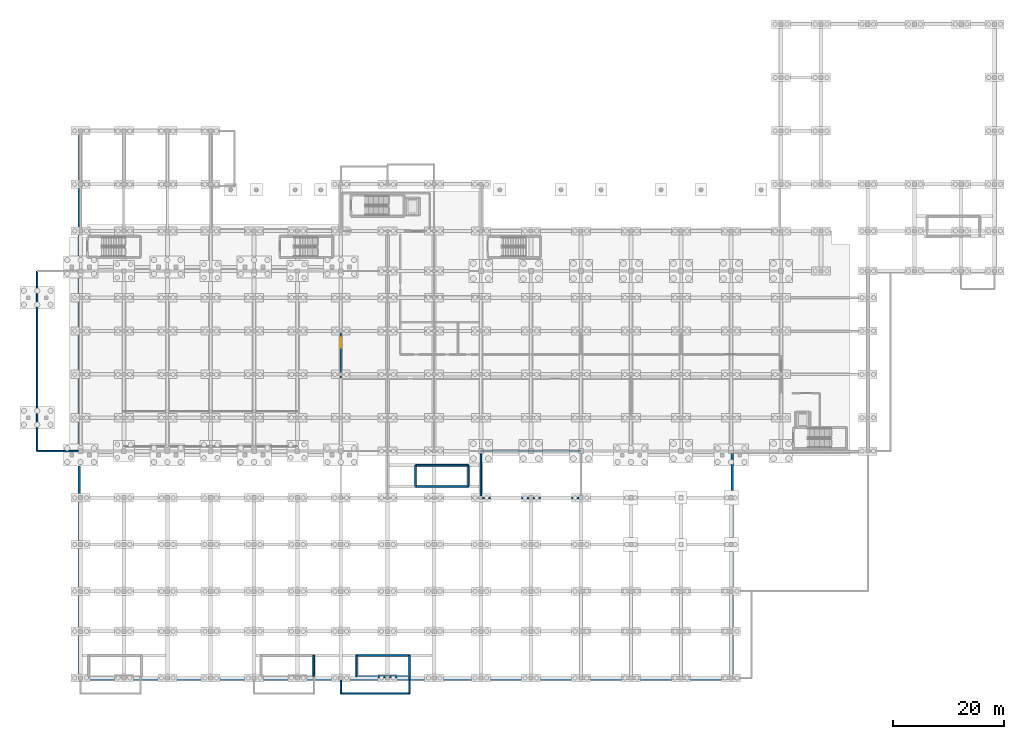
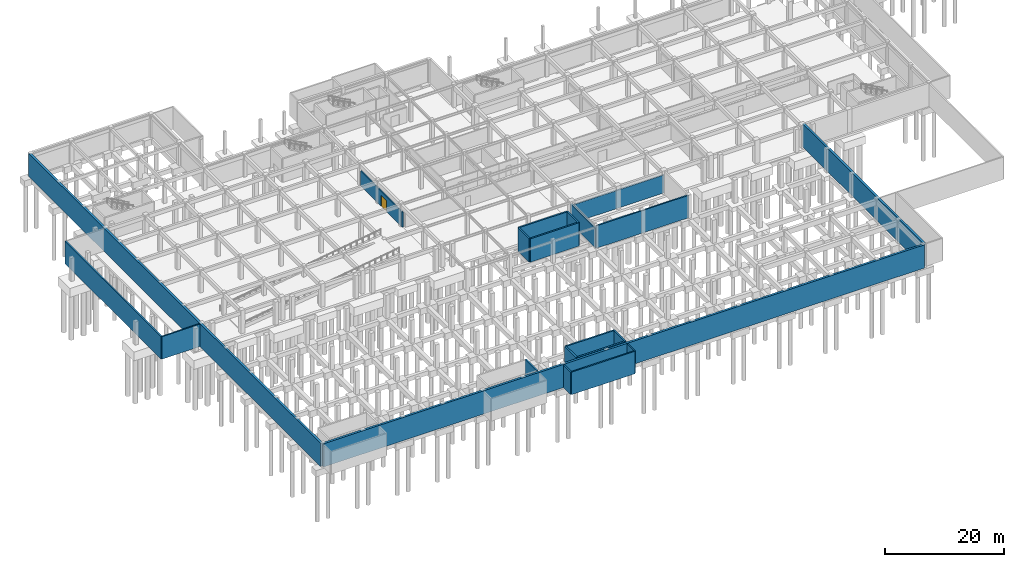
# One storey, part 15 of 26: 21 walls, 1 door, 1 opening.
"""IFC4 building model written with IfcOpenShell, lengths in metres."""

from ifc_helpers import new_model, si_unit, direction, frame, frame_2d, origin, place, context, subcontext, project, spatial, rectangle, extrude, material, layer, layer_set, type_object, element, fill, save


model = new_model("IFC4")

# Units and contexts
model_context = context("Model", 3, precision=1e-05, world=origin(), true_north=direction((0.0, 1.0)))
body_context = subcontext(model_context, "Body", "Model", "MODEL_VIEW")
ifc_project = project(units=[si_unit("LENGTHUNIT", "METRE"), si_unit("AREAUNIT", "SQUARE_METRE"), si_unit("VOLUMEUNIT", "CUBIC_METRE"), si_unit("PLANEANGLEUNIT", "RADIAN"), si_unit("MASSUNIT", "GRAM", prefix="KILO")], contexts=[model_context])

# Site, building, storey
site_placement = place(None, origin())
site = spatial("IfcSite", under=ifc_project, at=site_placement, CompositionType="ELEMENT")
building_placement = place(site_placement, origin())
building = spatial("IfcBuilding", under=site, at=building_placement, Name="Tizgana Railside Sports Hall", CompositionType="ELEMENT")
storey_placement = place(building_placement, frame((0.0, 0.0, -4.800048828125)))
storey = spatial("IfcBuildingStorey", under=building, at=storey_placement, Name="B1", CompositionType="ELEMENT", Elevation=-4.800048828125)

# Walls
ifc_material_1 = material(Name="Concrete C35/45", Category="concrete")
ifc_layer_1 = layer(ifc_material_1, 0.419921875, Name="Concrete C35/45")
ifc_layer_set_1 = layer_set([ifc_layer_1], Name="Concrete C35/45")
wall_type_1 = type_object("IfcWallType", Name="Basement Retaining Wall 420", PredefinedType="USERDEFINED", material=ifc_layer_set_1)
wall_1_placement = place(storey_placement, frame((7.800048828125, -0.219970703125, 0.0), z_axis=(0.0, 0.0, 1.0), x_axis=(1.0, 0.0, 0.0)))
element("IfcWall", 1, at=wall_1_placement, inside=storey, type_object=wall_type_1, Name="B1 Retaining Wall WAL-0001", ObjectType="RETAINING", PredefinedType="USERDEFINED", context=body_context, shape_type="SweptSolid", body=[
    extrude(rectangle(XDim=117.0, YDim=0.419921875, at=frame_2d((58.5, 0.0))), origin(), (0.0, 0.0, 1.0), 4.780029296875),
])
wall_2_placement = place(storey_placement, frame((125.02001953125, 0.0, 0.0), z_axis=(0.0, 0.0, 1.0), x_axis=(0.0, 1.0, 0.0)))
element("IfcWall", 2, at=wall_2_placement, inside=storey, type_object=wall_type_1, Name="B1 Retaining Wall WAL-0002", ObjectType="RETAINING", PredefinedType="USERDEFINED", context=body_context, shape_type="SweptSolid", body=[
    extrude(rectangle(XDim=40.800048828125, YDim=0.419921875, at=frame_2d((20.39990234375, 0.0))), origin(), (0.0, 0.0, 1.0), 4.780029296875),
])
wall_3_placement = place(storey_placement, frame((7.580078125, 98.39990234375, 0.0), z_axis=(0.0, 0.0, 1.0), x_axis=(0.0, -1.0, 0.0)))
element("IfcWall", 3, at=wall_3_placement, inside=storey, type_object=wall_type_1, Name="B1 Retaining Wall WAL-0016", ObjectType="RETAINING", PredefinedType="USERDEFINED", context=body_context, shape_type="SweptSolid", body=[
    extrude(rectangle(XDim=98.39990234375, YDim=0.419921875, at=frame_2d((49.199951171875, 0.0))), origin(), (0.0, 0.0, 1.0), 4.780029296875),
])
ifc_material_2 = material(Name="Concrete C40/50", Category="concrete")
ifc_layer_2 = layer(ifc_material_2, 0.300048828125, Name="Concrete C40/50")
ifc_layer_set_2 = layer_set([ifc_layer_2], Name="Concrete C40/50")
wall_type_2 = type_object("IfcWallType", Name="Core Shear Wall 300", PredefinedType="SHEAR", material=ifc_layer_set_2)
wall_4_placement = place(storey_placement, frame((49.75, 0.25, 0.0), z_axis=(0.0, 0.0, 1.0), x_axis=(0.0, 1.0, 0.0)))
element("IfcWall", 4, at=wall_4_placement, inside=storey, type_object=wall_type_2, Name="B1 C2 Shaft Wall E", PredefinedType="SHEAR", context=body_context, shape_type="SweptSolid", body=[
    extrude(rectangle(XDim=3.800048828125, YDim=0.300048828125, at=frame_2d((1.89990234375, 0.0))), origin(), (0.0, 0.0, 1.0), 4.800048828125),
])
wall_5_placement = place(storey_placement, frame((57.449951171875, 4.050048828125, 0.0), z_axis=(0.0, 0.0, 1.0), x_axis=(1.0, 0.0, 0.0)))
element("IfcWall", 5, at=wall_5_placement, inside=storey, type_object=wall_type_2, Name="B1 C3 Shaft Wall N", PredefinedType="SHEAR", context=body_context, shape_type="SweptSolid", body=[
    extrude(rectangle(XDim=9.5, YDim=0.300048828125, at=frame_2d((4.75, 0.0))), origin(), (0.0, 0.0, 1.0), 4.800048828125),
])
for number, where, z_axis, x_axis, name in (
    (6, (57.449951171875, 0.25, 0.0), (0.0, 0.0, 1.0), (0.0, 1.0, 0.0), "B1 C3 Shaft Wall W"),
    (7, (66.949951171875, 0.25, 0.0), (0.0, 0.0, 1.0), (0.0, 1.0, 0.0), "B1 C3 Shaft Wall E"),
):
    element("IfcWall", number, at=place(storey_placement, frame(where, z_axis=z_axis, x_axis=x_axis)), inside=storey, type_object=wall_type_2, Name=name, PredefinedType="SHEAR", context=body_context, shape_type="SweptSolid", body=[
        extrude(rectangle(XDim=3.800048828125, YDim=0.300048828125, at=frame_2d((1.89990234375, 0.0))), origin(), (0.0, 0.0, 1.0), 4.800048828125),
    ])
for number, where, z_axis, x_axis, name in (
    (8, (77.550048828125, 34.449951171875, 0.0), (0.0, 0.0, 1.0), (-1.0, 0.0, 0.0), "B1 C10 Shaft Wall S"),
    (9, (68.050048828125, 38.25, 0.0), (0.0, 0.0, 1.0), (1.0, 0.0, 0.0), "B1 C10 Shaft Wall N"),
):
    element("IfcWall", number, at=place(storey_placement, frame(where, z_axis=z_axis, x_axis=x_axis)), inside=storey, type_object=wall_type_2, Name=name, PredefinedType="SHEAR", context=body_context, shape_type="SweptSolid", body=[
        extrude(rectangle(XDim=9.5, YDim=0.300048828125, at=frame_2d((4.75, 0.0))), origin(), (0.0, 0.0, 1.0), 4.800048828125),
    ])
for number, where, z_axis, x_axis, name in (
    (10, (68.050048828125, 34.449951171875, 0.0), (0.0, 0.0, 1.0), (0.0, 1.0, 0.0), "B1 C10 Shaft Wall W"),
    (11, (77.550048828125, 34.449951171875, 0.0), (0.0, 0.0, 1.0), (0.0, 1.0, 0.0), "B1 C10 Shaft Wall E"),
):
    element("IfcWall", number, at=place(storey_placement, frame(where, z_axis=z_axis, x_axis=x_axis)), inside=storey, type_object=wall_type_2, Name=name, PredefinedType="SHEAR", context=body_context, shape_type="SweptSolid", body=[
        extrude(rectangle(XDim=3.800048828125, YDim=0.300048828125, at=frame_2d((1.89990234375, 0.0))), origin(), (0.0, 0.0, 1.0), 4.800048828125),
    ])

# Wall, opening, door
ifc_material_3 = material(Name="Masonry blockwork", Category="masonry")
ifc_layer_3 = layer(ifc_material_3, 0.219970703125, Name="Masonry blockwork")
ifc_layer_set_3 = layer_set([ifc_layer_3], Name="Masonry blockwork")
wall_type_3 = type_object("IfcWallType", Name="Equipment Store Fire Wall 220", PredefinedType="STANDARD", material=ifc_layer_set_3)
wall_6_placement = place(storey_placement, frame((54.60009765625, 54.0, 0.0), z_axis=(0.0, 0.0, 1.0), x_axis=(0.0, 1.0, 0.0)))
wall_6 = element("IfcWall", 12, at=wall_6_placement, inside=storey, type_object=wall_type_3, Name="B1 Partition PWAL-0245", PredefinedType="STANDARD", context=body_context, shape_type="SweptSolid", body=[
    extrude(rectangle(XDim=14.06494140625, YDim=0.219970703125, at=frame_2d((7.032470703125, 0.0))), origin(), (0.0, 0.0, 1.0), 3.10009765625),
])
opening_placement = place(wall_6_placement, frame((5.375, 0.0, 0.0)))
opening = element("IfcOpeningElement", 13, at=opening_placement, cuts=wall_6, Name="Opening D-0238", PredefinedType="OPENING", context=body_context, shape_type="SweptSolid", body=[
    extrude(rectangle(XDim=1.85009765625, YDim=2.25, at=frame_2d((0.925048828125, 1.125))), frame((0.0, 0.119873046875, 0.0), z_axis=(0.0, -1.0, 0.0), x_axis=(1.0, 0.0, 0.0)), (0.0, 0.0, 1.0), 0.239990234375),
])
ifc_material_4 = material(Name="Timber fire leaf", Category="wood")
door_type = type_object("IfcDoorType", Name="Corridor Cross-Fire Double Door 1850x2250", OperationType="NOTDEFINED", PredefinedType="DOOR", material=ifc_material_4)
door_placement = place(opening_placement, origin())
door = element("IfcDoor", 14, at=door_placement, inside=storey, type_object=door_type, Name="B1 Door D-0238", OperationType="DOUBLE_DOOR_SINGLE_SWING", OverallHeight=2.25, OverallWidth=1.85009765625, PredefinedType="DOOR", context=body_context, shape_type="SweptSolid", body=[
    extrude(rectangle(XDim=1.85009765625, YDim=2.25, at=frame_2d((0.925048828125, 1.125))), frame((0.0, 0.02490234375, 0.0), z_axis=(0.0, -1.0, 0.0), x_axis=(1.0, 0.0, 0.0)), (0.0, 0.0, 1.0), 0.050048828125),
])
fill(opening, door)

# Walls
ifc_layer_4 = layer(ifc_material_1, 0.340087890625, Name="Concrete C35/45")
ifc_layer_set_4 = layer_set([ifc_layer_4], Name="Concrete C35/45")
wall_type_4 = type_object("IfcWallType", Name="Exterior Insulated Concrete Wall 340", PredefinedType="STANDARD", material=ifc_layer_set_4)
wall_7_placement = place(storey_placement, frame((66.949951171875, 0.25, 0.0), z_axis=(0.0, 0.0, 1.0), x_axis=(-1.0, 0.0, 0.0)))
element("IfcWall", 15, at=wall_7_placement, inside=storey, type_object=wall_type_4, Name="B1 C3 Shaft Wall S", PredefinedType="STANDARD", context=body_context, shape_type="SweptSolid", body=[
    extrude(rectangle(XDim=9.5, YDim=0.340087890625, at=frame_2d((4.75, 0.0))), origin(), (0.0, 0.0, 1.0), 4.800048828125),
])
ifc_material_5 = material(Name="Precast concrete C40/50", Category="concrete")
ifc_layer_5 = layer(ifc_material_5, 0.27001953125, Name="Precast concrete C40/50")
ifc_layer_set_5 = layer_set([ifc_layer_5], Name="Precast concrete C40/50")
wall_type_5 = type_object("IfcWallType", Name="Exterior Studio Facade Wall 270", PredefinedType="STANDARD", material=ifc_layer_set_5)
wall_8_placement = place(storey_placement, frame((0.0, 40.800048828125, 0.0), z_axis=(0.0, 0.0, 1.0), x_axis=(1.0, 0.0, 0.0)))
element("IfcWall", 16, at=wall_8_placement, inside=storey, type_object=wall_type_5, Name="B1 Apron Plinth", PredefinedType="STANDARD", context=body_context, shape_type="SweptSolid", body=[
    extrude(rectangle(XDim=7.800048828125, YDim=0.27001953125, at=frame_2d((3.89990234375, 0.0))), origin(), (0.0, 0.0, 1.0), 4.630126953125),
])
wall_9_placement = place(storey_placement, frame((0.0, 73.199951171875, 0.0), z_axis=(0.0, 0.0, 1.0), x_axis=(0.0, -1.0, 0.0)))
element("IfcWall", 17, at=wall_9_placement, inside=storey, type_object=wall_type_5, Name="B1 Apron Plinth", PredefinedType="STANDARD", context=body_context, shape_type="SweptSolid", body=[
    extrude(rectangle(XDim=32.39990234375, YDim=0.27001953125, at=frame_2d((16.199951171875, 0.0))), origin(), (0.0, 0.0, 1.0), 4.630126953125),
])
wall_10_placement = place(storey_placement, frame((79.800048828125, 32.39990234375, 0.0), z_axis=(0.0, 0.0, 1.0), x_axis=(1.0, 0.0, 0.0)))
element("IfcWall", 18, at=wall_10_placement, inside=storey, type_object=wall_type_5, Name="B1 Apron Plinth", PredefinedType="STANDARD", context=body_context, shape_type="SweptSolid", body=[
    extrude(rectangle(XDim=18.0, YDim=0.27001953125, at=frame_2d((9.0, 0.0))), origin(), (0.0, 0.0, 1.0), 4.630126953125),
])
wall_11_placement = place(storey_placement, frame((97.800048828125, 40.800048828125, 0.0), z_axis=(0.0, 0.0, 1.0), x_axis=(-1.0, 0.0, 0.0)))
element("IfcWall", 19, at=wall_11_placement, inside=storey, type_object=wall_type_5, Name="B1 Apron Plinth", PredefinedType="STANDARD", context=body_context, shape_type="SweptSolid", body=[
    extrude(rectangle(XDim=18.0, YDim=0.27001953125, at=frame_2d((9.0, 0.0))), origin(), (0.0, 0.0, 1.0), 3.7109375),
])
wall_12_placement = place(storey_placement, frame((79.800048828125, 40.800048828125, 0.0), z_axis=(0.0, 0.0, 1.0), x_axis=(0.0, -1.0, 0.0)))
element("IfcWall", 20, at=wall_12_placement, inside=storey, type_object=wall_type_5, Name="B1 Apron Plinth", PredefinedType="STANDARD", context=body_context, shape_type="SweptSolid", body=[
    extrude(rectangle(XDim=8.400146484375, YDim=0.27001953125, at=frame_2d((4.2001953125, 0.0))), origin(), (0.0, 0.0, 1.0), 4.010986328125),
])
wall_13_placement = place(storey_placement, frame((54.60009765625, -2.800048828125, 0.0), z_axis=(0.0, 0.0, 1.0), x_axis=(1.0, 0.0, 0.0)))
element("IfcWall", 21, at=wall_13_placement, inside=storey, type_object=wall_type_5, Name="B1 Apron Plinth", PredefinedType="STANDARD", context=body_context, shape_type="SweptSolid", body=[
    extrude(rectangle(XDim=12.39990234375, YDim=0.27001953125, at=frame_2d((6.199951171875, 0.0))), origin(), (0.0, 0.0, 1.0), 4.630126953125),
])
wall_14_placement = place(storey_placement, frame((67.0, -2.800048828125, 0.0), z_axis=(0.0, 0.0, 1.0), x_axis=(0.0, 1.0, 0.0)))
element("IfcWall", 22, at=wall_14_placement, inside=storey, type_object=wall_type_5, Name="B1 Apron Plinth", PredefinedType="STANDARD", context=body_context, shape_type="SweptSolid", body=[
    extrude(rectangle(XDim=3.045166015625, YDim=0.27001953125, at=frame_2d((1.5224609375, 0.0))), origin(), (0.0, 0.0, 1.0), 4.630126953125),
])
wall_15_placement = place(storey_placement, frame((54.60009765625, 0.0, 0.0), z_axis=(0.0, 0.0, 1.0), x_axis=(0.0, -1.0, 0.0)))
element("IfcWall", 23, at=wall_15_placement, inside=storey, type_object=wall_type_5, Name="B1 Apron Plinth", PredefinedType="STANDARD", context=body_context, shape_type="SweptSolid", body=[
    extrude(rectangle(XDim=2.800048828125, YDim=0.27001953125, at=frame_2d((1.39990234375, 0.0))), origin(), (0.0, 0.0, 1.0), 4.630126953125),
])

save(model, "model.ifc")
